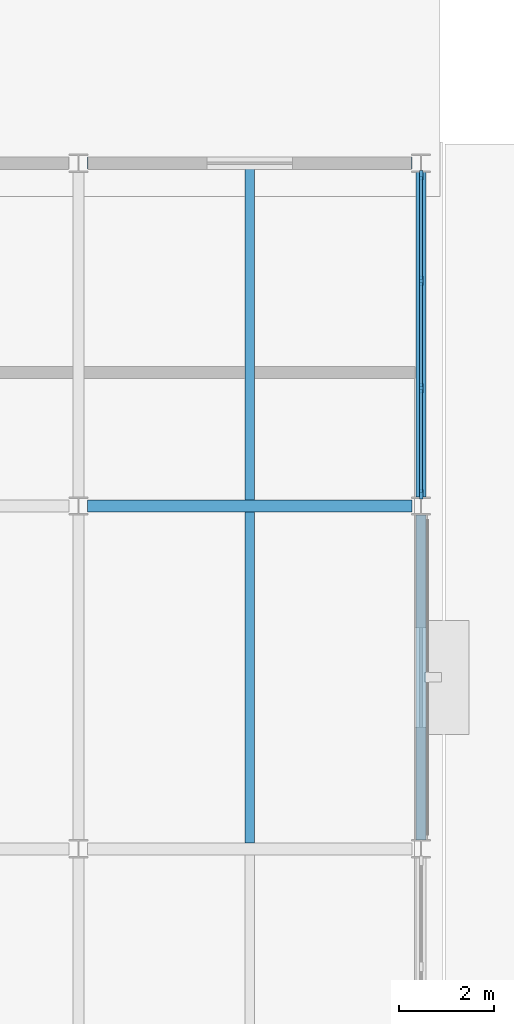
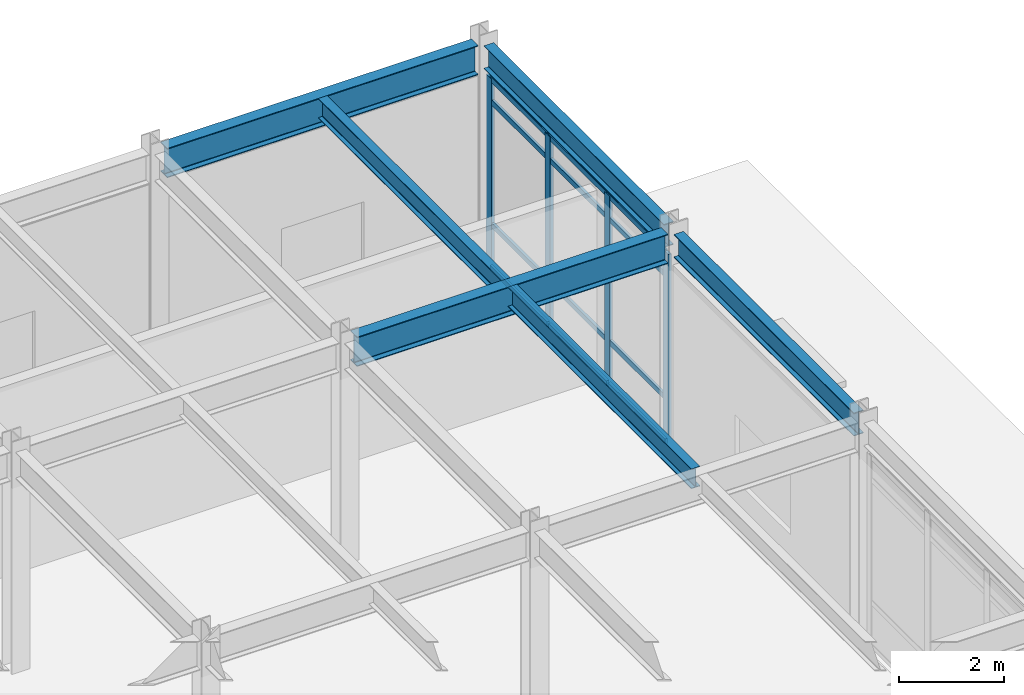
# One storey, part 56 of 104: 16 members, 6 beams, 1 element without a shape of its own.
"""IFC4 building model written with IfcOpenShell, lengths in metres."""

from ifc_helpers import new_model, si_unit, direction, frame, origin, origin_2d, place, context, subcontext, project, spatial, rectangle, i_section, extrude, material, material_profile, profile_set, type_object, element, aggregate, save


model = new_model("IFC4")

# Units and contexts
model_context = context("Model", 3, precision=1e-05, world=origin(), true_north=direction((0.0, 1.0)))
body_context = subcontext(model_context, "Body", "Model", "MODEL_VIEW")
ifc_project = project(units=[si_unit("LENGTHUNIT", "METRE"), si_unit("AREAUNIT", "SQUARE_METRE"), si_unit("VOLUMEUNIT", "CUBIC_METRE"), si_unit("PLANEANGLEUNIT", "RADIAN"), si_unit("MASSUNIT", "GRAM", prefix="KILO")], contexts=[model_context])

# Site, building, storey
site_placement = place(None, origin())
site = spatial("IfcSite", under=ifc_project, at=site_placement, CompositionType="ELEMENT")
building_placement = place(site_placement, origin())
building = spatial("IfcBuilding", under=site, at=building_placement, Name="Vaelcorin Mobility Hub", CompositionType="ELEMENT")
storey_placement = place(building_placement, origin())
storey = spatial("IfcBuildingStorey", under=building, at=storey_placement, Name="L00", CompositionType="ELEMENT", Elevation=0.0)

# Beams
ifc_material_1 = material(Name="Steel ASTM A992 Grade 50", Category="steel")
ifc_material_profile_1 = material_profile(ifc_material_1, i_section(OverallWidth=0.19091796875, OverallDepth=0.4599609375, WebThickness=0.010009765625, FlangeThickness=0.01611328125, FilletRadius=0.012939453125, at=origin_2d()), Name="W18X55")
ifc_profile_set_1 = profile_set([ifc_material_profile_1], Name="Steel ASTM A992 Grade 50")
beam_type_1 = type_object("IfcBeamType", Name="BM-W18X55", PredefinedType="JOIST", material=ifc_profile_set_1)
for number, where, z_axis, x_axis, name in (
    (1, (200.39990234375, 105.72509765625, 4.909912109375), (0.0, 1.0, 0.0), (-1.0, 0.0, 0.0), "L00 Beam V5-L00-J-07-13-1"),
    (2, (200.39990234375, 112.925048828125, 4.909912109375), (0.0, 1.0, 0.0), (-1.0, 0.0, 0.0), "L00 Beam V5-L00-J-07-14-1"),
):
    element("IfcBeam", number, at=place(storey_placement, frame(where, z_axis=z_axis, x_axis=x_axis)), inside=storey, type_object=beam_type_1, Name=name, PredefinedType="JOIST", context=body_context, shape_type="SweptSolid", body=[
        extrude(i_section(OverallWidth=0.19091796875, OverallDepth=0.4599609375, WebThickness=0.010009765625, FlangeThickness=0.01611328125, FilletRadius=0.012939453125, at=origin_2d()), origin(), (0.0, 0.0, 1.0), 6.949951171875),
    ])
ifc_material_profile_2 = material_profile(ifc_material_1, i_section(OverallWidth=0.2099609375, OverallDepth=0.535888671875, WebThickness=0.010986328125, FlangeThickness=0.017333984375, FilletRadius=0.013916015625, at=origin_2d()), Name="W21X68")
ifc_profile_set_2 = profile_set([ifc_material_profile_2], Name="Steel ASTM A992 Grade 50")
beam_type_2 = type_object("IfcBeamType", Name="BM-W21X68", PredefinedType="SPANDREL", material=ifc_profile_set_2)
beam_1_placement = place(storey_placement, frame((204.0, 105.7880859375, 4.8720703125), z_axis=(0.0, 1.0, 0.0), x_axis=(-1.0, 0.0, 0.0)))
element("IfcBeam", 3, at=beam_1_placement, inside=storey, type_object=beam_type_2, Name="L00 Beam V5-L00-GY-08-13", PredefinedType="SPANDREL", context=body_context, shape_type="SweptSolid", body=[
    extrude(i_section(OverallWidth=0.2099609375, OverallDepth=0.535888671875, WebThickness=0.010986328125, FlangeThickness=0.017333984375, FilletRadius=0.013916015625, at=origin_2d()), origin(), (0.0, 0.0, 1.0), 6.822998046875),
])
beam_2_placement = place(storey_placement, frame((204.0, 112.988037109375, 4.8720703125), z_axis=(0.0, 1.0, 0.0), x_axis=(-1.0, 0.0, 0.0)))
element("IfcBeam", 4, at=beam_2_placement, inside=storey, type_object=beam_type_2, Name="L00 Beam V5-L00-GY-08-14", PredefinedType="SPANDREL", context=body_context, shape_type="SweptSolid", body=[
    extrude(i_section(OverallWidth=0.2099609375, OverallDepth=0.535888671875, WebThickness=0.010986328125, FlangeThickness=0.017333984375, FilletRadius=0.013916015625, at=origin_2d()), origin(), (0.0, 0.0, 1.0), 6.823974609375),
])
ifc_material_profile_3 = material_profile(ifc_material_1, i_section(OverallWidth=0.25390625, OverallDepth=0.68310546875, WebThickness=0.012451171875, FlangeThickness=0.018798828125, FilletRadius=0.01611328125, at=origin_2d()), Name="W27X94")
ifc_profile_set_3 = profile_set([ifc_material_profile_3], Name="Steel ASTM A992 Grade 50")
beam_type_3 = type_object("IfcBeamType", Name="BM-W27X94", PredefinedType="BEAM", material=ifc_profile_set_3)
for number, where, z_axis, x_axis, name in (
    (5, (196.99609375, 112.800048828125, 4.798095703125), (1.0, 0.0, 0.0), (0.0, 1.0, 0.0), "L00 Beam V5-L00-GX-14-07"),
    (6, (196.99609375, 120.0, 4.798095703125), (1.0, 0.0, 0.0), (0.0, 1.0, 0.0), "L00 Beam V5-L00-GX-15-07"),
):
    element("IfcBeam", number, at=place(storey_placement, frame(where, z_axis=z_axis, x_axis=x_axis)), inside=storey, type_object=beam_type_3, Name=name, PredefinedType="BEAM", context=body_context, shape_type="SweptSolid", body=[
        extrude(i_section(OverallWidth=0.25390625, OverallDepth=0.68310546875, WebThickness=0.012451171875, FlangeThickness=0.018798828125, FilletRadius=0.01611328125, at=origin_2d()), origin(), (0.0, 0.0, 1.0), 6.807861328125),
    ])

# Curtain wall, members
ifc_material_2 = material(Name="Anodised aluminium 6063-T6", Category="aluminium")
curtain_wall_type = type_object("IfcCurtainWallType", Name="CW-MOB-A", PredefinedType="NOTDEFINED", material=ifc_material_2)
curtain_wall_placement = place(storey_placement, origin())
curtain_wall = element("IfcCurtainWall", 7, at=curtain_wall_placement, inside=storey, type_object=curtain_wall_type, Name="L00 Curtain Wall CW-V5-L00-E-14", PredefinedType="NOTDEFINED")
ifc_material_profile_4 = material_profile(ifc_material_2, rectangle(XDim=0.070068359375, YDim=0.199951171875, at=origin_2d()), Name="ALU-M70X200")
ifc_profile_set_4 = profile_set([ifc_material_profile_4], Name="Anodised aluminium 6063-T6")
member_type_1 = type_object("IfcMemberType", Name="CW-MULL-200", PredefinedType="MULLION", material=ifc_profile_set_4)
member_1_placement = place(storey_placement, frame((204.0, 119.75, 0.0), z_axis=(0.0, 0.0, 1.0), x_axis=(1.0, 0.0, 0.0)))
member_1 = element("IfcMember", 8, at=member_1_placement, type_object=member_type_1, Name="CW7 mullion 1", PredefinedType="MULLION", context=body_context, shape_type="SweptSolid", body=[
    extrude(rectangle(XDim=0.070068359375, YDim=0.199951171875, at=origin_2d()), origin(), (0.0, 0.0, 1.0), 4.44189453125),
])
member_2_placement = place(storey_placement, frame((204.0, 117.526611328125, 0.0), z_axis=(0.0, 0.0, 1.0), x_axis=(1.0, 0.0, 0.0)))
member_2 = element("IfcMember", 9, at=member_2_placement, type_object=member_type_1, Name="CW7 mullion 2", PredefinedType="MULLION", context=body_context, shape_type="SweptSolid", body=[
    extrude(rectangle(XDim=0.070068359375, YDim=0.199951171875, at=origin_2d()), origin(), (0.0, 0.0, 1.0), 4.44189453125),
])
member_3_placement = place(storey_placement, frame((204.0, 115.2734375, 0.0), z_axis=(0.0, 0.0, 1.0), x_axis=(1.0, 0.0, 0.0)))
member_3 = element("IfcMember", 10, at=member_3_placement, type_object=member_type_1, Name="CW7 mullion 3", PredefinedType="MULLION", context=body_context, shape_type="SweptSolid", body=[
    extrude(rectangle(XDim=0.070068359375, YDim=0.199951171875, at=origin_2d()), origin(), (0.0, 0.0, 1.0), 4.44189453125),
])
member_4_placement = place(storey_placement, frame((204.0, 113.050048828125, 0.0), z_axis=(0.0, 0.0, 1.0), x_axis=(1.0, 0.0, 0.0)))
member_4 = element("IfcMember", 11, at=member_4_placement, type_object=member_type_1, Name="CW7 mullion 4", PredefinedType="MULLION", context=body_context, shape_type="SweptSolid", body=[
    extrude(rectangle(XDim=0.070068359375, YDim=0.199951171875, at=origin_2d()), origin(), (0.0, 0.0, 1.0), 4.44189453125),
])
ifc_material_profile_5 = material_profile(ifc_material_2, rectangle(XDim=0.06005859375, YDim=0.1201171875, at=origin_2d()), Name="ALU-T60X120")
ifc_profile_set_5 = profile_set([ifc_material_profile_5], Name="Anodised aluminium 6063-T6")
member_type_2 = type_object("IfcMemberType", Name="CW-TRAN-140", PredefinedType="USERDEFINED", material=ifc_profile_set_5)
member_5_placement = place(storey_placement, frame((204.0, 119.719970703125, 0.030029296875), z_axis=(0.0, -1.0, 0.0), x_axis=(1.0, 0.0, 0.0)))
member_5 = element("IfcMember", 12, at=member_5_placement, type_object=member_type_2, Name="CW7 transom 1.1", ObjectType="TRANSOM", PredefinedType="USERDEFINED", context=body_context, shape_type="SweptSolid", body=[
    extrude(rectangle(XDim=0.06005859375, YDim=0.1201171875, at=origin_2d()), origin(), (0.0, 0.0, 1.0), 2.163330078125),
])
member_6_placement = place(storey_placement, frame((204.0, 119.719970703125, 1.050048828125), z_axis=(0.0, -1.0, 0.0), x_axis=(1.0, 0.0, 0.0)))
member_6 = element("IfcMember", 13, at=member_6_placement, type_object=member_type_2, Name="CW7 transom 1.2", ObjectType="TRANSOM", PredefinedType="USERDEFINED", context=body_context, shape_type="SweptSolid", body=[
    extrude(rectangle(XDim=0.06005859375, YDim=0.1201171875, at=origin_2d()), origin(), (0.0, 0.0, 1.0), 2.163330078125),
])
member_7_placement = place(storey_placement, frame((204.0, 119.719970703125, 3.89208984375), z_axis=(0.0, -1.0, 0.0), x_axis=(1.0, 0.0, 0.0)))
member_7 = element("IfcMember", 14, at=member_7_placement, type_object=member_type_2, Name="CW7 transom 1.3", ObjectType="TRANSOM", PredefinedType="USERDEFINED", context=body_context, shape_type="SweptSolid", body=[
    extrude(rectangle(XDim=0.06005859375, YDim=0.1201171875, at=origin_2d()), origin(), (0.0, 0.0, 1.0), 2.163330078125),
])
member_8_placement = place(storey_placement, frame((204.0, 119.719970703125, 4.412109375), z_axis=(0.0, -1.0, 0.0), x_axis=(1.0, 0.0, 0.0)))
member_8 = element("IfcMember", 15, at=member_8_placement, type_object=member_type_2, Name="CW7 transom 1.4", ObjectType="TRANSOM", PredefinedType="USERDEFINED", context=body_context, shape_type="SweptSolid", body=[
    extrude(rectangle(XDim=0.06005859375, YDim=0.1201171875, at=origin_2d()), origin(), (0.0, 0.0, 1.0), 2.163330078125),
])
member_9_placement = place(storey_placement, frame((204.0, 117.49658203125, 0.030029296875), z_axis=(0.0, -1.0, 0.0), x_axis=(1.0, 0.0, 0.0)))
member_9 = element("IfcMember", 16, at=member_9_placement, type_object=member_type_2, Name="CW7 transom 2.1", ObjectType="TRANSOM", PredefinedType="USERDEFINED", context=body_context, shape_type="SweptSolid", body=[
    extrude(rectangle(XDim=0.06005859375, YDim=0.1201171875, at=origin_2d()), origin(), (0.0, 0.0, 1.0), 2.193359375),
])
member_10_placement = place(storey_placement, frame((204.0, 117.49658203125, 1.050048828125), z_axis=(0.0, -1.0, 0.0), x_axis=(1.0, 0.0, 0.0)))
member_10 = element("IfcMember", 17, at=member_10_placement, type_object=member_type_2, Name="CW7 transom 2.2", ObjectType="TRANSOM", PredefinedType="USERDEFINED", context=body_context, shape_type="SweptSolid", body=[
    extrude(rectangle(XDim=0.06005859375, YDim=0.1201171875, at=origin_2d()), origin(), (0.0, 0.0, 1.0), 2.193359375),
])
member_11_placement = place(storey_placement, frame((204.0, 117.49658203125, 3.89208984375), z_axis=(0.0, -1.0, 0.0), x_axis=(1.0, 0.0, 0.0)))
member_11 = element("IfcMember", 18, at=member_11_placement, type_object=member_type_2, Name="CW7 transom 2.3", ObjectType="TRANSOM", PredefinedType="USERDEFINED", context=body_context, shape_type="SweptSolid", body=[
    extrude(rectangle(XDim=0.06005859375, YDim=0.1201171875, at=origin_2d()), origin(), (0.0, 0.0, 1.0), 2.193359375),
])
member_12_placement = place(storey_placement, frame((204.0, 117.49658203125, 4.412109375), z_axis=(0.0, -1.0, 0.0), x_axis=(1.0, 0.0, 0.0)))
member_12 = element("IfcMember", 19, at=member_12_placement, type_object=member_type_2, Name="CW7 transom 2.4", ObjectType="TRANSOM", PredefinedType="USERDEFINED", context=body_context, shape_type="SweptSolid", body=[
    extrude(rectangle(XDim=0.06005859375, YDim=0.1201171875, at=origin_2d()), origin(), (0.0, 0.0, 1.0), 2.193359375),
])
member_13_placement = place(storey_placement, frame((204.0, 115.243408203125, 0.030029296875), z_axis=(0.0, -1.0, 0.0), x_axis=(1.0, 0.0, 0.0)))
member_13 = element("IfcMember", 20, at=member_13_placement, type_object=member_type_2, Name="CW7 transom 3.1", ObjectType="TRANSOM", PredefinedType="USERDEFINED", context=body_context, shape_type="SweptSolid", body=[
    extrude(rectangle(XDim=0.06005859375, YDim=0.1201171875, at=origin_2d()), origin(), (0.0, 0.0, 1.0), 2.163330078125),
])
member_14_placement = place(storey_placement, frame((204.0, 115.243408203125, 1.050048828125), z_axis=(0.0, -1.0, 0.0), x_axis=(1.0, 0.0, 0.0)))
member_14 = element("IfcMember", 21, at=member_14_placement, type_object=member_type_2, Name="CW7 transom 3.2", ObjectType="TRANSOM", PredefinedType="USERDEFINED", context=body_context, shape_type="SweptSolid", body=[
    extrude(rectangle(XDim=0.06005859375, YDim=0.1201171875, at=origin_2d()), origin(), (0.0, 0.0, 1.0), 2.163330078125),
])
member_15_placement = place(storey_placement, frame((204.0, 115.243408203125, 3.89208984375), z_axis=(0.0, -1.0, 0.0), x_axis=(1.0, 0.0, 0.0)))
member_15 = element("IfcMember", 22, at=member_15_placement, type_object=member_type_2, Name="CW7 transom 3.3", ObjectType="TRANSOM", PredefinedType="USERDEFINED", context=body_context, shape_type="SweptSolid", body=[
    extrude(rectangle(XDim=0.06005859375, YDim=0.1201171875, at=origin_2d()), origin(), (0.0, 0.0, 1.0), 2.163330078125),
])
member_16_placement = place(storey_placement, frame((204.0, 115.243408203125, 4.412109375), z_axis=(0.0, -1.0, 0.0), x_axis=(1.0, 0.0, 0.0)))
member_16 = element("IfcMember", 23, at=member_16_placement, type_object=member_type_2, Name="CW7 transom 3.4", ObjectType="TRANSOM", PredefinedType="USERDEFINED", context=body_context, shape_type="SweptSolid", body=[
    extrude(rectangle(XDim=0.06005859375, YDim=0.1201171875, at=origin_2d()), origin(), (0.0, 0.0, 1.0), 2.163330078125),
])
aggregate(curtain_wall, [member_1, member_2, member_3, member_4, member_5, member_6, member_7, member_8, member_9, member_10, member_11, member_12, member_13, member_14, member_15, member_16])

save(model, "model.ifc")
